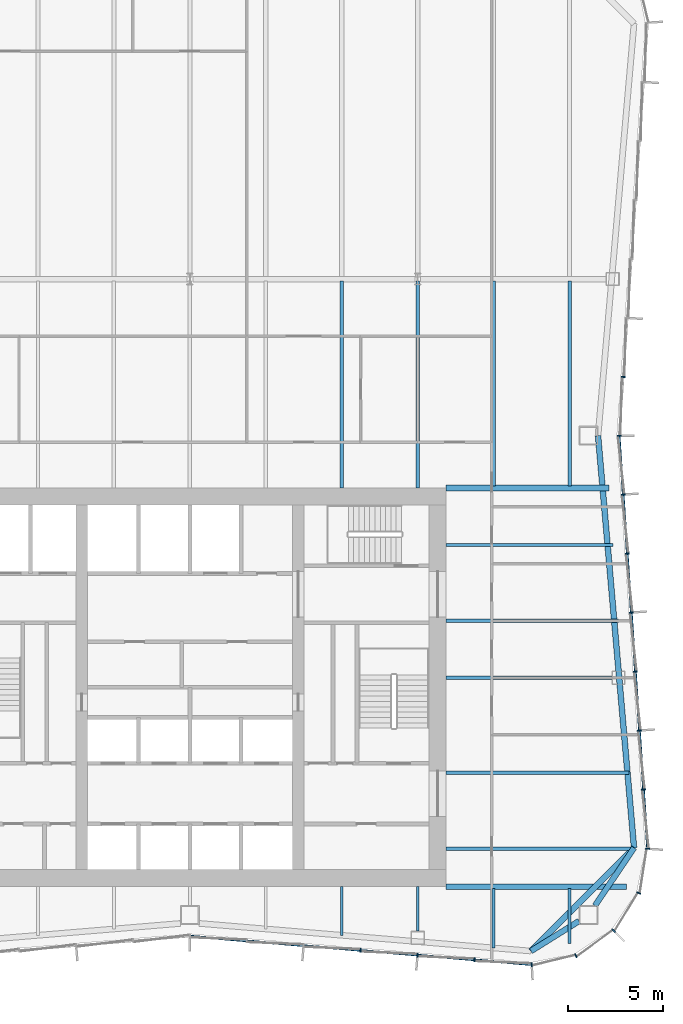
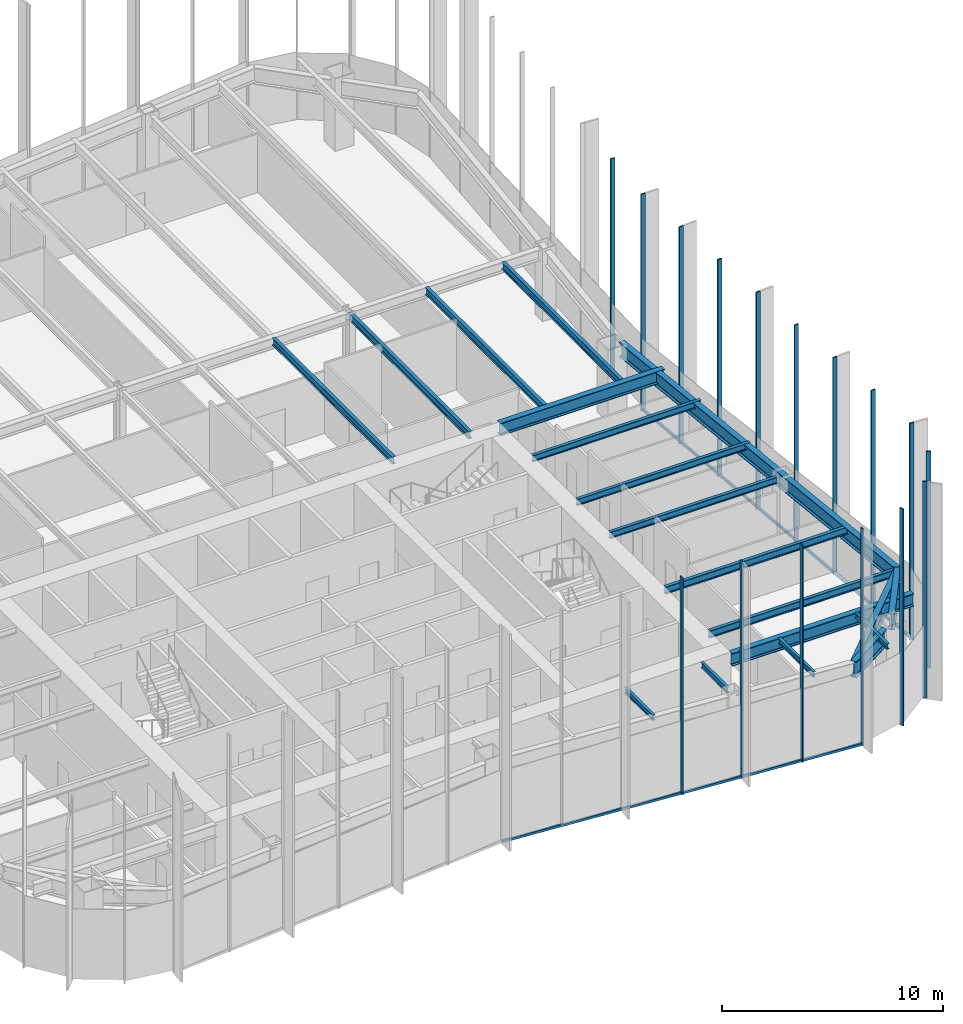
# One storey, part 4 of 13: 19 beams, 18 members, 3 elements without a shape of their own.
"""IFC4 building model written with IfcOpenShell, lengths in metres."""

from ifc_helpers import new_model, si_unit, direction, frame, origin, origin_2d, place, context, subcontext, project, spatial, rectangle, i_section, extrude, material, material_profile, profile_set, type_object, element, aggregate, save


model = new_model("IFC4")

# Units and contexts
model_context = context("Model", 3, precision=1e-05, world=origin(), true_north=direction((0.0, 1.0)))
body_context = subcontext(model_context, "Body", "Model", "MODEL_VIEW")
ifc_project = project(units=[si_unit("LENGTHUNIT", "METRE"), si_unit("AREAUNIT", "SQUARE_METRE"), si_unit("VOLUMEUNIT", "CUBIC_METRE"), si_unit("PLANEANGLEUNIT", "RADIAN"), si_unit("MASSUNIT", "GRAM", prefix="KILO")], contexts=[model_context])

# Site, building, storey
site_placement = place(None, origin())
site = spatial("IfcSite", under=ifc_project, at=site_placement, CompositionType="ELEMENT")
building_placement = place(site_placement, origin())
building = spatial("IfcBuilding", under=site, at=building_placement, Name="Verdant Reach Tower", CompositionType="ELEMENT")
storey_placement = place(building_placement, frame((0.0, 0.0, 206.0)))
storey = spatial("IfcBuildingStorey", under=building, at=storey_placement, Name="L47", CompositionType="ELEMENT", Elevation=206.0)

# Curtain wall, members
ifc_material_1 = material(Name="Anodised aluminium", Category="aluminium")
curtain_wall_type = type_object("IfcCurtainWallType", Name="EN-CW SYSTEM Z3", PredefinedType="NOTDEFINED", material=ifc_material_1)
curtain_wall_1_placement = place(storey_placement, origin())
curtain_wall_1 = element("IfcCurtainWall", 1, at=curtain_wall_1_placement, inside=storey, type_object=curtain_wall_type, Name="Curtain wall south-east corner, L47", PredefinedType="NOTDEFINED")
ifc_material_profile_1 = material_profile(ifc_material_1, rectangle(XDim=0.218017578125, YDim=0.06591796875, at=origin_2d()), Name="Mullion 66x218")
ifc_profile_set_1 = profile_set([ifc_material_profile_1], Name="Anodised aluminium")
member_type_1 = type_object("IfcMemberType", Name="EN-MULLION Z3", PredefinedType="MULLION", material=ifc_profile_set_1)
member_1_placement = place(storey_placement, frame((18.006103515625, 13.39111328125, -0.35009765625), z_axis=(0.0, 0.0, 1.0), x_axis=(0.056569187765, -0.998398681387, 0.0)))
member_1 = element("IfcMember", 2, at=member_1_placement, type_object=member_type_1, Name="Mullion south-east corner 1, L47", PredefinedType="MULLION", context=body_context, shape_type="SweptSolid", body=[
    extrude(rectangle(XDim=0.218017578125, YDim=0.06591796875, at=origin_2d()), origin(), (0.0, 0.0, 1.0), 12.0),
])
member_2_placement = place(storey_placement, frame((20.337890625, 13.85595703125, -0.35009765625), z_axis=(0.0, 0.0, 1.0), x_axis=(0.382693853776, -0.923875215753, 0.0)))
member_2 = element("IfcMember", 3, at=member_2_placement, type_object=member_type_1, Name="Mullion south-east corner 2, L47", PredefinedType="MULLION", context=body_context, shape_type="SweptSolid", body=[
    extrude(rectangle(XDim=0.218017578125, YDim=0.06591796875, at=origin_2d()), origin(), (0.0, 0.0, 1.0), 12.0),
])
member_3_placement = place(storey_placement, frame((22.319580078125, 15.180419921875, -0.35009765625), z_axis=(0.0, 0.0, 1.0), x_axis=(0.707106781187, -0.707106781187, 0.0)))
member_3 = element("IfcMember", 4, at=member_3_placement, type_object=member_type_1, Name="Mullion south-east corner 3, L47", PredefinedType="MULLION", context=body_context, shape_type="SweptSolid", body=[
    extrude(rectangle(XDim=0.218017578125, YDim=0.06591796875, at=origin_2d()), origin(), (0.0, 0.0, 1.0), 12.0),
])
member_4_placement = place(storey_placement, frame((23.64404296875, 17.162109375, -0.35009765625), z_axis=(0.0, 0.0, 1.0), x_axis=(0.923875215753, -0.382693853776, 0.0)))
member_4 = element("IfcMember", 5, at=member_4_placement, type_object=member_type_1, Name="Mullion south-east corner 4, L47", PredefinedType="MULLION", context=body_context, shape_type="SweptSolid", body=[
    extrude(rectangle(XDim=0.218017578125, YDim=0.06591796875, at=origin_2d()), origin(), (0.0, 0.0, 1.0), 12.0),
])
aggregate(curtain_wall_1, [member_1, member_2, member_3, member_4])

curtain_wall_2_placement = place(storey_placement, origin())
curtain_wall_2 = element("IfcCurtainWall", 6, at=curtain_wall_2_placement, inside=storey, type_object=curtain_wall_type, Name="Curtain wall east, L47", PredefinedType="NOTDEFINED")
member_5_placement = place(storey_placement, frame((24.10888671875, 19.4931640625, -0.35009765625), z_axis=(0.0, 0.0, 1.0), x_axis=(0.997969180898, -0.063698618332, 0.0)))
member_5 = element("IfcMember", 7, at=member_5_placement, type_object=member_type_1, Name="Mullion east face part 1 1, L47", PredefinedType="MULLION", context=body_context, shape_type="SweptSolid", body=[
    extrude(rectangle(XDim=0.218017578125, YDim=0.06591796875, at=origin_2d()), origin(), (0.0, 0.0, 1.0), 12.0),
])
member_6_placement = place(storey_placement, frame((23.89453125, 22.61474609375, -0.35009765625), z_axis=(0.0, 0.0, 1.0), x_axis=(0.997630328423, 0.068802091615, 0.0)))
member_6 = element("IfcMember", 8, at=member_6_placement, type_object=member_type_1, Name="Mullion east face part 1 2, L47", PredefinedType="MULLION", context=body_context, shape_type="SweptSolid", body=[
    extrude(rectangle(XDim=0.218017578125, YDim=0.06591796875, at=origin_2d()), origin(), (0.0, 0.0, 1.0), 12.0),
])
member_7_placement = place(storey_placement, frame((23.68017578125, 25.7216796875, -0.35009765625), z_axis=(0.0, 0.0, 1.0), x_axis=(0.997630328423, 0.068802091615, 0.0)))
member_7 = element("IfcMember", 9, at=member_7_placement, type_object=member_type_1, Name="Mullion east face part 1 3, L47", PredefinedType="MULLION", context=body_context, shape_type="SweptSolid", body=[
    extrude(rectangle(XDim=0.218017578125, YDim=0.06591796875, at=origin_2d()), origin(), (0.0, 0.0, 1.0), 12.0),
])
member_8_placement = place(storey_placement, frame((23.4658203125, 28.828857421875, -0.35009765625), z_axis=(0.0, 0.0, 1.0), x_axis=(0.997630328423, 0.068802091615, 0.0)))
member_8 = element("IfcMember", 10, at=member_8_placement, type_object=member_type_1, Name="Mullion east face part 1 4, L47", PredefinedType="MULLION", context=body_context, shape_type="SweptSolid", body=[
    extrude(rectangle(XDim=0.218017578125, YDim=0.06591796875, at=origin_2d()), origin(), (0.0, 0.0, 1.0), 12.0),
])
member_9_placement = place(storey_placement, frame((23.251708984375, 31.93603515625, -0.35009765625), z_axis=(0.0, 0.0, 1.0), x_axis=(0.997630328423, 0.068802091615, 0.0)))
member_9 = element("IfcMember", 11, at=member_9_placement, type_object=member_type_1, Name="Mullion east face part 1 5, L47", PredefinedType="MULLION", context=body_context, shape_type="SweptSolid", body=[
    extrude(rectangle(XDim=0.218017578125, YDim=0.06591796875, at=origin_2d()), origin(), (0.0, 0.0, 1.0), 12.0),
])
member_10_placement = place(storey_placement, frame((23.037353515625, 35.043212890625, -0.35009765625), z_axis=(0.0, 0.0, 1.0), x_axis=(0.997630328423, 0.068802091615, 0.0)))
member_10 = element("IfcMember", 12, at=member_10_placement, type_object=member_type_1, Name="Mullion east face part 1 6, L47", PredefinedType="MULLION", context=body_context, shape_type="SweptSolid", body=[
    extrude(rectangle(XDim=0.218017578125, YDim=0.06591796875, at=origin_2d()), origin(), (0.0, 0.0, 1.0), 12.0),
])
member_11_placement = place(storey_placement, frame((22.822998046875, 38.150390625, -0.35009765625), z_axis=(0.0, 0.0, 1.0), x_axis=(0.997630328423, 0.068802091615, 0.0)))
member_11 = element("IfcMember", 13, at=member_11_placement, type_object=member_type_1, Name="Mullion east face part 1 7, L47", PredefinedType="MULLION", context=body_context, shape_type="SweptSolid", body=[
    extrude(rectangle(XDim=0.218017578125, YDim=0.06591796875, at=origin_2d()), origin(), (0.0, 0.0, 1.0), 12.0),
])
member_12_placement = place(storey_placement, frame((22.60888671875, 41.25, -0.35009765625), z_axis=(0.0, 0.0, 1.0), x_axis=(1.0, 0.0, 0.0)))
member_12 = element("IfcMember", 14, at=member_12_placement, type_object=member_type_1, Name="Mullion east face part 2 1, L47", PredefinedType="MULLION", context=body_context, shape_type="SweptSolid", body=[
    extrude(rectangle(XDim=0.218017578125, YDim=0.06591796875, at=origin_2d()), origin(), (0.0, 0.0, 1.0), 12.0),
])
member_13_placement = place(storey_placement, frame((22.822998046875, 44.349609375, -0.35009765625), z_axis=(0.0, 0.0, 1.0), x_axis=(0.997630328423, -0.068802091615, 0.0)))
member_13 = element("IfcMember", 15, at=member_13_placement, type_object=member_type_1, Name="Mullion east face part 2 2, L47", PredefinedType="MULLION", context=body_context, shape_type="SweptSolid", body=[
    extrude(rectangle(XDim=0.218017578125, YDim=0.06591796875, at=origin_2d()), origin(), (0.0, 0.0, 1.0), 12.0),
])

curtain_wall_3_placement = place(storey_placement, origin())
curtain_wall_3 = element("IfcCurtainWall", 16, at=curtain_wall_3_placement, inside=storey, type_object=curtain_wall_type, Name="Curtain wall south, L47", PredefinedType="NOTDEFINED")
member_14_placement = place(storey_placement, frame((8.990966796875, 14.141357421875, -0.35009765625), z_axis=(0.0, 0.0, 1.0), x_axis=(-0.083045479859, -0.996545758244, 0.0)))
member_14 = element("IfcMember", 17, at=member_14_placement, type_object=member_type_1, Name="Mullion south face part 2 4, L47", PredefinedType="MULLION", context=body_context, shape_type="SweptSolid", body=[
    extrude(rectangle(XDim=0.218017578125, YDim=0.06591796875, at=origin_2d()), origin(), (0.0, 0.0, 1.0), 12.0),
])
member_15_placement = place(storey_placement, frame((11.990966796875, 13.891357421875, -0.35009765625), z_axis=(0.0, 0.0, 1.0), x_axis=(-0.083045479859, -0.996545758244, 0.0)))
member_15 = element("IfcMember", 18, at=member_15_placement, type_object=member_type_1, Name="Mullion south face part 2 5, L47", PredefinedType="MULLION", context=body_context, shape_type="SweptSolid", body=[
    extrude(rectangle(XDim=0.218017578125, YDim=0.06591796875, at=origin_2d()), origin(), (0.0, 0.0, 1.0), 12.0),
])
member_16_placement = place(storey_placement, frame((14.990966796875, 13.641357421875, -0.35009765625), z_axis=(0.0, 0.0, 1.0), x_axis=(-0.083045479859, -0.996545758244, 0.0)))
member_16 = element("IfcMember", 19, at=member_16_placement, type_object=member_type_1, Name="Mullion south face part 2 6, L47", PredefinedType="MULLION", context=body_context, shape_type="SweptSolid", body=[
    extrude(rectangle(XDim=0.218017578125, YDim=0.06591796875, at=origin_2d()), origin(), (0.0, 0.0, 1.0), 12.0),
])

# Member
ifc_material_profile_2 = material_profile(ifc_material_1, rectangle(XDim=0.10009765625, YDim=0.1259765625, at=origin_2d()), Name="Transom 126x100")
ifc_profile_set_2 = profile_set([ifc_material_profile_2], Name="Anodised aluminium")
member_type_2 = type_object("IfcMemberType", Name="EN-TRANSOM Z3", PredefinedType="USERDEFINED", material=ifc_profile_set_2)
member_17_placement = place(storey_placement, frame((24.1064453125, 19.52587890625, -0.287109375), z_axis=(-0.068764326054, 0.997632932226, 0.0), x_axis=(-0.997632932226, -0.068764326054, 0.0)))
member_17 = element("IfcMember", 20, at=member_17_placement, type_object=member_type_2, Name="Transom east face part 1 1.1, L47", ObjectType="TRANSOM", PredefinedType="USERDEFINED", context=body_context, shape_type="SweptSolid", body=[
    extrude(rectangle(XDim=0.10009765625, YDim=0.1259765625, at=origin_2d()), origin(), (0.0, 0.0, 1.0), 21.74267578125),
])

aggregate(curtain_wall_2, [member_5, member_6, member_7, member_8, member_9, member_10, member_11, member_17, member_12, member_13])

member_18_placement = place(storey_placement, frame((0.032958984375, 14.88818359375, -0.287109375), z_axis=(0.996548750467, -0.083009565369, 0.0), x_axis=(0.083009565369, 0.996548750467, 0.0)))
member_18 = element("IfcMember", 21, at=member_18_placement, type_object=member_type_2, Name="Transom south face part 2 1.1, L47", ObjectType="TRANSOM", PredefinedType="USERDEFINED", context=body_context, shape_type="SweptSolid", body=[
    extrude(rectangle(XDim=0.10009765625, YDim=0.1259765625, at=origin_2d()), origin(), (0.0, 0.0, 1.0), 18.00244140625),
])

aggregate(curtain_wall_3, [member_14, member_15, member_16, member_18])

# Beams
ifc_material_2 = material(Name="Steel S355", Category="steel")
ifc_material_profile_3 = material_profile(ifc_material_2, i_section(OverallWidth=0.300048828125, OverallDepth=0.699951171875, WebThickness=0.01708984375, FlangeThickness=0.031982421875, FilletRadius=0.027099609375, at=origin_2d()), Name="HEB 700")
ifc_profile_set_3 = profile_set([ifc_material_profile_3], Name="Steel S355")
beam_type_1 = type_object("IfcBeamType", Name="ST-BEAM-HEB700", PredefinedType="BEAM", material=ifc_profile_set_3)
beam_1_placement = place(storey_placement, frame((13.5, 38.5, 3.52001953125), z_axis=(1.0, 0.0, 0.0), x_axis=(0.0, 1.0, 0.0)))
element("IfcBeam", 22, at=beam_1_placement, inside=storey, type_object=beam_type_1, Name="Trimmer beam, L47", PredefinedType="BEAM", context=body_context, shape_type="SweptSolid", body=[
    extrude(i_section(OverallWidth=0.300048828125, OverallDepth=0.699951171875, WebThickness=0.01708984375, FlangeThickness=0.031982421875, FilletRadius=0.027099609375, at=origin_2d()), origin(), (0.0, 0.0, 1.0), 8.588134765625),
])
beam_2_placement = place(storey_placement, frame((13.5, 17.5, 3.52001953125), z_axis=(1.0, 0.0, 0.0), x_axis=(0.0, 1.0, 0.0)))
element("IfcBeam", 23, at=beam_2_placement, inside=storey, type_object=beam_type_1, Name="Trimmer beam, L47", PredefinedType="BEAM", context=body_context, shape_type="SweptSolid", body=[
    extrude(i_section(OverallWidth=0.300048828125, OverallDepth=0.699951171875, WebThickness=0.01708984375, FlangeThickness=0.031982421875, FilletRadius=0.027099609375, at=origin_2d()), origin(), (0.0, 0.0, 1.0), 9.490478515625),
])
ifc_material_profile_4 = material_profile(ifc_material_2, i_section(OverallWidth=0.302001953125, OverallDepth=0.909912109375, WebThickness=0.02099609375, FlangeThickness=0.0400390625, FilletRadius=0.030029296875, at=origin_2d()), Name="HEM 900")
ifc_profile_set_4 = profile_set([ifc_material_profile_4], Name="Steel S355")
beam_type_2 = type_object("IfcBeamType", Name="ST-BEAM-HEM900", PredefinedType="BEAM", material=ifc_profile_set_4)
beam_3_placement = place(storey_placement, frame((20.5, 15.687744140625, 3.4150390625), z_axis=(-0.848163521635, -0.529734500073, 0.0), x_axis=(0.529734500073, -0.848163521635, 0.0)))
element("IfcBeam", 24, at=beam_3_placement, inside=storey, type_object=beam_type_2, Name="Column stub beam, L47", PredefinedType="BEAM", context=body_context, shape_type="SweptSolid", body=[
    extrude(i_section(OverallWidth=0.302001953125, OverallDepth=0.909912109375, WebThickness=0.02099609375, FlangeThickness=0.0400390625, FilletRadius=0.030029296875, at=origin_2d()), origin(), (0.0, 0.0, 1.0), 2.98779296875),
])
beam_4_placement = place(storey_placement, frame((21.33837890625, 16.5, 3.4150390625), z_axis=(0.560703975309, 0.828016335631, 0.0), x_axis=(-0.828016335631, 0.560703975309, 0.0)))
element("IfcBeam", 25, at=beam_4_placement, inside=storey, type_object=beam_type_2, Name="Column stub beam, L47", PredefinedType="BEAM", context=body_context, shape_type="SweptSolid", body=[
    extrude(i_section(OverallWidth=0.302001953125, OverallDepth=0.909912109375, WebThickness=0.02099609375, FlangeThickness=0.0400390625, FilletRadius=0.030029296875, at=origin_2d()), origin(), (0.0, 0.0, 1.0), 3.669677734375),
])
ifc_material_profile_5 = material_profile(ifc_material_2, i_section(OverallWidth=0.14990234375, OverallDepth=0.300048828125, WebThickness=0.007080078125, FlangeThickness=0.0107421875, FilletRadius=0.014892578125, at=origin_2d()), Name="IPE 300")
ifc_profile_set_5 = profile_set([ifc_material_profile_5], Name="Steel S355")
beam_type_3 = type_object("IfcBeamType", Name="ST-JOIST-IPE300", PredefinedType="JOIST", material=ifc_profile_set_5)
beam_5_placement = place(storey_placement, frame((8.0, 17.5, 3.719970703125), z_axis=(0.0, -1.0, 0.0), x_axis=(1.0, 0.0, 0.0)))
element("IfcBeam", 26, at=beam_5_placement, inside=storey, type_object=beam_type_3, Name="Floor joist, L47", PredefinedType="JOIST", context=body_context, shape_type="SweptSolid", body=[
    extrude(i_section(OverallWidth=0.14990234375, OverallDepth=0.300048828125, WebThickness=0.007080078125, FlangeThickness=0.0107421875, FilletRadius=0.014892578125, at=origin_2d()), origin(), (0.0, 0.0, 1.0), 2.564697265625),
])
beam_6_placement = place(storey_placement, frame((12.0, 17.5, 3.719970703125), z_axis=(0.0, -1.0, 0.0), x_axis=(1.0, 0.0, 0.0)))
element("IfcBeam", 27, at=beam_6_placement, inside=storey, type_object=beam_type_3, Name="Floor joist, L47", PredefinedType="JOIST", context=body_context, shape_type="SweptSolid", body=[
    extrude(i_section(OverallWidth=0.14990234375, OverallDepth=0.300048828125, WebThickness=0.007080078125, FlangeThickness=0.0107421875, FilletRadius=0.014892578125, at=origin_2d()), origin(), (0.0, 0.0, 1.0), 2.35009765625),
])
beam_7_placement = place(storey_placement, frame((16.0, 17.39990234375, 3.719970703125), z_axis=(0.0, -1.0, 0.0), x_axis=(1.0, 0.0, 0.0)))
element("IfcBeam", 28, at=beam_7_placement, inside=storey, type_object=beam_type_3, Name="Floor joist, L47", PredefinedType="JOIST", context=body_context, shape_type="SweptSolid", body=[
    extrude(i_section(OverallWidth=0.14990234375, OverallDepth=0.300048828125, WebThickness=0.007080078125, FlangeThickness=0.0107421875, FilletRadius=0.014892578125, at=origin_2d()), origin(), (0.0, 0.0, 1.0), 3.131103515625),
])
beam_8_placement = place(storey_placement, frame((20.0, 17.39990234375, 3.719970703125), z_axis=(0.0, -1.0, 0.0), x_axis=(1.0, 0.0, 0.0)))
element("IfcBeam", 29, at=beam_8_placement, inside=storey, type_object=beam_type_3, Name="Floor joist, L47", PredefinedType="JOIST", context=body_context, shape_type="SweptSolid", body=[
    extrude(i_section(OverallWidth=0.14990234375, OverallDepth=0.300048828125, WebThickness=0.007080078125, FlangeThickness=0.0107421875, FilletRadius=0.014892578125, at=origin_2d()), origin(), (0.0, 0.0, 1.0), 2.890380859375),
])
ifc_material_profile_6 = material_profile(ifc_material_2, i_section(OverallWidth=0.169921875, OverallDepth=0.360107421875, WebThickness=0.008056640625, FlangeThickness=0.0126953125, FilletRadius=0.01806640625, at=origin_2d()), Name="IPE 360")
ifc_profile_set_6 = profile_set([ifc_material_profile_6], Name="Steel S355")
beam_type_4 = type_object("IfcBeamType", Name="ST-JOIST-IPE360", PredefinedType="JOIST", material=ifc_profile_set_6)
beam_9_placement = place(storey_placement, frame((13.5, 28.5, 3.68994140625), z_axis=(1.0, 0.0, 0.0), x_axis=(0.0, 1.0, 0.0)))
element("IfcBeam", 30, at=beam_9_placement, inside=storey, type_object=beam_type_4, Name="Floor joist, L47", PredefinedType="JOIST", context=body_context, shape_type="SweptSolid", body=[
    extrude(i_section(OverallWidth=0.169921875, OverallDepth=0.360107421875, WebThickness=0.008056640625, FlangeThickness=0.0126953125, FilletRadius=0.01806640625, at=origin_2d()), origin(), (0.0, 0.0, 1.0), 8.729248046875),
])
beam_10_placement = place(storey_placement, frame((13.5, 31.5, 3.68994140625), z_axis=(1.0, 0.0, 0.0), x_axis=(0.0, 1.0, 0.0)))
element("IfcBeam", 31, at=beam_10_placement, inside=storey, type_object=beam_type_4, Name="Floor joist, L47", PredefinedType="JOIST", context=body_context, shape_type="SweptSolid", body=[
    extrude(i_section(OverallWidth=0.169921875, OverallDepth=0.360107421875, WebThickness=0.008056640625, FlangeThickness=0.0126953125, FilletRadius=0.01806640625, at=origin_2d()), origin(), (0.0, 0.0, 1.0), 9.071044921875),
])
beam_11_placement = place(storey_placement, frame((13.5, 35.5, 3.68994140625), z_axis=(1.0, 0.0, 0.0), x_axis=(0.0, 1.0, 0.0)))
element("IfcBeam", 32, at=beam_11_placement, inside=storey, type_object=beam_type_4, Name="Floor joist, L47", PredefinedType="JOIST", context=body_context, shape_type="SweptSolid", body=[
    extrude(i_section(OverallWidth=0.169921875, OverallDepth=0.360107421875, WebThickness=0.008056640625, FlangeThickness=0.0126953125, FilletRadius=0.01806640625, at=origin_2d()), origin(), (0.0, 0.0, 1.0), 8.795166015625),
])
ifc_material_profile_7 = material_profile(ifc_material_2, i_section(OverallWidth=0.179931640625, OverallDepth=0.39990234375, WebThickness=0.008544921875, FlangeThickness=0.013427734375, FilletRadius=0.02099609375, at=origin_2d()), Name="IPE 400")
ifc_profile_set_7 = profile_set([ifc_material_profile_7], Name="Steel S355")
beam_type_5 = type_object("IfcBeamType", Name="ST-JOIST-IPE400", PredefinedType="JOIST", material=ifc_profile_set_7)
for number, where, z_axis, x_axis, name in (
    (33, (8.0, 38.5, 3.669921875), (0.0, 1.0, 0.0), (-1.0, 0.0, 0.0), "Floor joist, L47"),
    (34, (12.0, 38.5, 3.669921875), (0.0, 1.0, 0.0), (-1.0, 0.0, 0.0), "Floor joist, L47"),
):
    element("IfcBeam", number, at=place(storey_placement, frame(where, z_axis=z_axis, x_axis=x_axis)), inside=storey, type_object=beam_type_5, Name=name, PredefinedType="JOIST", context=body_context, shape_type="SweptSolid", body=[
        extrude(i_section(OverallWidth=0.179931640625, OverallDepth=0.39990234375, WebThickness=0.008544921875, FlangeThickness=0.013427734375, FilletRadius=0.02099609375, at=origin_2d()), origin(), (0.0, 0.0, 1.0), 10.89990234375),
    ])
for number, where, z_axis, x_axis, name in (
    (35, (16.0, 38.60009765625, 3.669921875), (0.0, 1.0, 0.0), (-1.0, 0.0, 0.0), "Floor joist, L47"),
    (36, (20.0, 38.60009765625, 3.669921875), (0.0, 1.0, 0.0), (-1.0, 0.0, 0.0), "Floor joist, L47"),
):
    element("IfcBeam", number, at=place(storey_placement, frame(where, z_axis=z_axis, x_axis=x_axis)), inside=storey, type_object=beam_type_5, Name=name, PredefinedType="JOIST", context=body_context, shape_type="SweptSolid", body=[
        extrude(i_section(OverallWidth=0.179931640625, OverallDepth=0.39990234375, WebThickness=0.008544921875, FlangeThickness=0.013427734375, FilletRadius=0.02099609375, at=origin_2d()), origin(), (0.0, 0.0, 1.0), 10.7998046875),
    ])
beam_12_placement = place(storey_placement, frame((13.5, 19.5, 3.669921875), z_axis=(1.0, 0.0, 0.0), x_axis=(0.0, 1.0, 0.0)))
element("IfcBeam", 37, at=beam_12_placement, inside=storey, type_object=beam_type_5, Name="Floor joist, L47", PredefinedType="JOIST", context=body_context, shape_type="SweptSolid", body=[
    extrude(i_section(OverallWidth=0.179931640625, OverallDepth=0.39990234375, WebThickness=0.008544921875, FlangeThickness=0.013427734375, FilletRadius=0.02099609375, at=origin_2d()), origin(), (0.0, 0.0, 1.0), 9.88818359375),
])
beam_13_placement = place(storey_placement, frame((13.5, 23.5, 3.669921875), z_axis=(1.0, 0.0, 0.0), x_axis=(0.0, 1.0, 0.0)))
element("IfcBeam", 38, at=beam_13_placement, inside=storey, type_object=beam_type_5, Name="Floor joist, L47", PredefinedType="JOIST", context=body_context, shape_type="SweptSolid", body=[
    extrude(i_section(OverallWidth=0.179931640625, OverallDepth=0.39990234375, WebThickness=0.008544921875, FlangeThickness=0.013427734375, FilletRadius=0.02099609375, at=origin_2d()), origin(), (0.0, 0.0, 1.0), 9.622802734375),
])
ifc_material_profile_8 = material_profile(ifc_material_2, i_section(OverallWidth=0.300048828125, OverallDepth=0.800048828125, WebThickness=0.017578125, FlangeThickness=0.032958984375, FilletRadius=0.030029296875, at=origin_2d()), Name="HEB 800")
ifc_profile_set_8 = profile_set([ifc_material_profile_8], Name="Steel S355")
beam_type_6 = type_object("IfcBeamType", Name="ST-SPANDREL-HEB800", PredefinedType="SPANDREL", material=ifc_profile_set_8)
beam_14_placement = place(storey_placement, frame((21.5, 41.25, 3.469970703125), z_axis=(0.086996024331, -0.996208658741, 0.0), x_axis=(0.996208658741, 0.086996024331, 0.0)))
element("IfcBeam", 39, at=beam_14_placement, inside=storey, type_object=beam_type_6, Name="Edge beam, L47", PredefinedType="SPANDREL", context=body_context, shape_type="SweptSolid", body=[
    extrude(i_section(OverallWidth=0.300048828125, OverallDepth=0.800048828125, WebThickness=0.017578125, FlangeThickness=0.032958984375, FilletRadius=0.030029296875, at=origin_2d()), origin(), (0.0, 0.0, 1.0), 21.7939453125),
])
ifc_material_profile_9 = material_profile(ifc_material_2, i_section(OverallWidth=0.302001953125, OverallDepth=0.909912109375, WebThickness=0.02099609375, FlangeThickness=0.0400390625, FilletRadius=0.030029296875, at=origin_2d()), Name="HEM 900")
ifc_profile_set_9 = profile_set([ifc_material_profile_9], Name="Steel S355")
beam_type_7 = type_object("IfcBeamType", Name="ST-SPANDREL-HEM900", PredefinedType="SPANDREL", material=ifc_profile_set_9)
beam_15_placement = place(storey_placement, frame((23.39599609375, 19.53857421875, 3.4150390625), z_axis=(-0.706884275642, -0.707329216738, 0.0), x_axis=(0.707329216738, -0.706884275642, 0.0)))
element("IfcBeam", 40, at=beam_15_placement, inside=storey, type_object=beam_type_7, Name="Edge beam, L47", PredefinedType="SPANDREL", context=body_context, shape_type="SweptSolid", body=[
    extrude(i_section(OverallWidth=0.302001953125, OverallDepth=0.909912109375, WebThickness=0.02099609375, FlangeThickness=0.0400390625, FilletRadius=0.030029296875, at=origin_2d()), origin(), (0.0, 0.0, 1.0), 7.681884765625),
])

save(model, "model.ifc")
